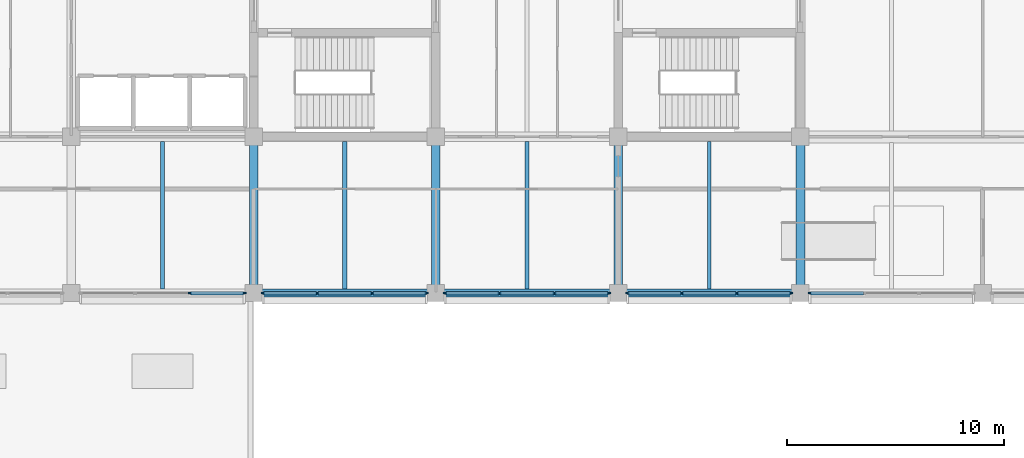
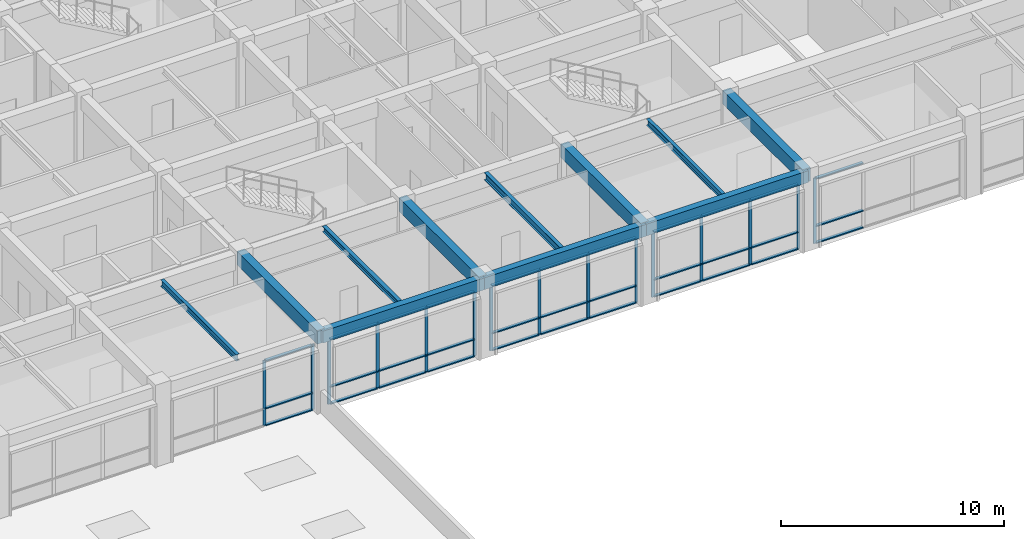
# One storey, part 7 of 40: 48 members, 11 beams, 5 elements without a shape of their own.
"""IFC4 building model written with IfcOpenShell, lengths in metres."""

from ifc_helpers import new_model, si_unit, direction, frame, origin, origin_2d, place, context, subcontext, project, spatial, rectangle, i_section, extrude, material, layer, layer_set, material_profile, profile_set, type_object, element, aggregate, save


model = new_model("IFC4")

# Units and contexts
model_context = context("Model", 3, precision=1e-05, world=origin(), true_north=direction((0.0, 1.0)))
body_context = subcontext(model_context, "Body", "Model", "MODEL_VIEW")
ifc_project = project(units=[si_unit("LENGTHUNIT", "METRE"), si_unit("AREAUNIT", "SQUARE_METRE"), si_unit("VOLUMEUNIT", "CUBIC_METRE"), si_unit("PLANEANGLEUNIT", "RADIAN"), si_unit("MASSUNIT", "GRAM", prefix="KILO")], contexts=[model_context])

# Site, building, storey
site_placement = place(None, origin())
site = spatial("IfcSite", under=ifc_project, at=site_placement, CompositionType="ELEMENT")
building_placement = place(site_placement, origin())
building = spatial("IfcBuilding", under=site, at=building_placement, Name="Chengyuan Square Courthouse", CompositionType="ELEMENT")
storey_placement = place(building_placement, frame((0.0, 0.0, 21.60009765625)))
storey = spatial("IfcBuildingStorey", under=building, at=storey_placement, Name="L05", CompositionType="ELEMENT", Elevation=21.60009765625)

# Beams
ifc_material_1 = material(Name="Concrete C40", Category="concrete")
ifc_material_profile_1 = material_profile(ifc_material_1, rectangle(XDim=0.39990234375, YDim=0.75, at=origin_2d()), Name="RC-BM-400x750")
ifc_profile_set_1 = profile_set([ifc_material_profile_1], Name="Concrete C40")
beam_type_1 = type_object("IfcBeamType", Name="BM-02", PredefinedType="USERDEFINED", material=ifc_profile_set_1)
for number, where, z_axis, x_axis, name in (
    (1, (100.800048828125, 79.199951171875, 3.864990234375), (0.0, 1.0, 0.0), (-1.0, 0.0, 0.0), "Girder BM-L05-3308"),
    (2, (109.199951171875, 79.199951171875, 3.864990234375), (0.0, 1.0, 0.0), (-1.0, 0.0, 0.0), "Girder BM-L05-3313"),
    (3, (117.60009765625, 79.199951171875, 3.864990234375), (0.0, 1.0, 0.0), (-1.0, 0.0, 0.0), "Girder BM-L05-3318"),
    (4, (126.0, 79.199951171875, 3.864990234375), (0.0, 1.0, 0.0), (-1.0, 0.0, 0.0), "Girder BM-L05-3323"),
):
    element("IfcBeam", number, at=place(storey_placement, frame(where, z_axis=z_axis, x_axis=x_axis)), inside=storey, type_object=beam_type_1, Name=name, ObjectType="GIRDER", PredefinedType="USERDEFINED", context=body_context, shape_type="SweptSolid", body=[
        extrude(rectangle(XDim=0.39990234375, YDim=0.75, at=origin_2d()), origin(), (0.0, 0.0, 1.0), 7.199951171875),
    ])
ifc_material_profile_2 = material_profile(ifc_material_1, rectangle(XDim=0.35009765625, YDim=0.64990234375, at=origin_2d()), Name="RC-BM-350x650")
ifc_profile_set_2 = profile_set([ifc_material_profile_2], Name="Concrete C40")
beam_type_2 = type_object("IfcBeamType", Name="BM-03", PredefinedType="SPANDREL", material=ifc_profile_set_2)
beam_1_placement = place(storey_placement, frame((100.800048828125, 79.199951171875, 3.914794921875), z_axis=(1.0, 0.0, 0.0), x_axis=(0.0, 1.0, 0.0)))
element("IfcBeam", 5, at=beam_1_placement, inside=storey, type_object=beam_type_2, Name="Girder BM-L05-3204", PredefinedType="SPANDREL", context=body_context, shape_type="SweptSolid", body=[
    extrude(rectangle(XDim=0.35009765625, YDim=0.64990234375, at=origin_2d()), origin(), (0.0, 0.0, 1.0), 8.39990234375),
])
beam_2_placement = place(storey_placement, frame((109.199951171875, 79.199951171875, 3.914794921875), z_axis=(1.0, 0.0, 0.0), x_axis=(0.0, 1.0, 0.0)))
element("IfcBeam", 6, at=beam_2_placement, inside=storey, type_object=beam_type_2, Name="Girder BM-L05-3205", PredefinedType="SPANDREL", context=body_context, shape_type="SweptSolid", body=[
    extrude(rectangle(XDim=0.35009765625, YDim=0.64990234375, at=origin_2d()), origin(), (0.0, 0.0, 1.0), 8.400146484375),
])
beam_3_placement = place(storey_placement, frame((117.60009765625, 79.199951171875, 3.914794921875), z_axis=(1.0, 0.0, 0.0), x_axis=(0.0, 1.0, 0.0)))
element("IfcBeam", 7, at=beam_3_placement, inside=storey, type_object=beam_type_2, Name="Girder BM-L05-3206", PredefinedType="SPANDREL", context=body_context, shape_type="SweptSolid", body=[
    extrude(rectangle(XDim=0.35009765625, YDim=0.64990234375, at=origin_2d()), origin(), (0.0, 0.0, 1.0), 8.39990234375),
])
ifc_material_2 = material(Name="Steel Q355B", Category="steel")
ifc_material_profile_3 = material_profile(ifc_material_2, i_section(OverallWidth=0.199951171875, OverallDepth=0.39990234375, WebThickness=0.008056640625, FlangeThickness=0.012939453125, at=origin_2d()), Name="HN 400x200x8x13")
ifc_profile_set_3 = profile_set([ifc_material_profile_3], Name="Steel Q355B")
beam_type_3 = type_object("IfcBeamType", Name="BM-07", PredefinedType="BEAM", material=ifc_profile_set_3)
beam_4_placement = place(storey_placement, frame((113.39990234375, 79.375, 4.039794921875), z_axis=(0.0, 1.0, 0.0), x_axis=(-1.0, 0.0, 0.0)))
element("IfcBeam", 8, at=beam_4_placement, inside=storey, type_object=beam_type_3, Name="Secondary Floor Beam SBM-L05-3370", PredefinedType="BEAM", context=body_context, shape_type="SweptSolid", body=[
    extrude(i_section(OverallWidth=0.199951171875, OverallDepth=0.39990234375, WebThickness=0.008056640625, FlangeThickness=0.012939453125, at=origin_2d()), origin(), (0.0, 0.0, 1.0), 6.800048828125),
])
ifc_material_profile_4 = material_profile(ifc_material_2, i_section(OverallWidth=0.175048828125, OverallDepth=0.35009765625, WebThickness=0.007080078125, FlangeThickness=0.010986328125, at=origin_2d()), Name="HN 350x175x7x11")
ifc_profile_set_4 = profile_set([ifc_material_profile_4], Name="Steel Q355B")
beam_type_4 = type_object("IfcBeamType", Name="BM-08", PredefinedType="BEAM", material=ifc_profile_set_4)
for number, where, z_axis, x_axis, name in (
    (9, (96.60009765625, 79.375, 4.06494140625), (0.0, 1.0, 0.0), (-1.0, 0.0, 0.0), "Secondary Floor Beam SBM-L05-3363"),
    (10, (121.800048828125, 79.375, 4.06494140625), (0.0, 1.0, 0.0), (-1.0, 0.0, 0.0), "Secondary Floor Beam SBM-L05-3375"),
):
    element("IfcBeam", number, at=place(storey_placement, frame(where, z_axis=z_axis, x_axis=x_axis)), inside=storey, type_object=beam_type_4, Name=name, PredefinedType="BEAM", context=body_context, shape_type="SweptSolid", body=[
        extrude(i_section(OverallWidth=0.175048828125, OverallDepth=0.35009765625, WebThickness=0.007080078125, FlangeThickness=0.010986328125, at=origin_2d()), origin(), (0.0, 0.0, 1.0), 6.800048828125),
    ])
ifc_material_profile_5 = material_profile(ifc_material_2, i_section(OverallWidth=0.199951171875, OverallDepth=0.300048828125, WebThickness=0.008056640625, FlangeThickness=0.011962890625, at=origin_2d()), Name="HM 300x200x8x12")
ifc_profile_set_5 = profile_set([ifc_material_profile_5], Name="Steel Q355B")
beam_type_5 = type_object("IfcBeamType", Name="BM-09", PredefinedType="BEAM", material=ifc_profile_set_5)
beam_5_placement = place(storey_placement, frame((105.0, 79.375, 4.08984375), z_axis=(0.0, 1.0, 0.0), x_axis=(-1.0, 0.0, 0.0)))
element("IfcBeam", 11, at=beam_5_placement, inside=storey, type_object=beam_type_5, Name="Secondary Floor Beam SBM-L05-3367", PredefinedType="BEAM", context=body_context, shape_type="SweptSolid", body=[
    extrude(i_section(OverallWidth=0.199951171875, OverallDepth=0.300048828125, WebThickness=0.008056640625, FlangeThickness=0.011962890625, at=origin_2d()), origin(), (0.0, 0.0, 1.0), 6.800048828125),
])

# Curtain wall, members
ifc_material_3 = material(Name="Unitised Aluminium and Triple Low-E Glass", Category="aluminium")
ifc_layer = layer(ifc_material_3, 0.159912109375)
ifc_layer_set = layer_set([ifc_layer], Name="Unitised Aluminium and Triple Low-E Glass")
curtain_wall_type = type_object("IfcCurtainWallType", Name="CW-13", PredefinedType="USERDEFINED", material=ifc_layer_set)
curtain_wall_1_placement = place(storey_placement, origin())
curtain_wall_1 = element("IfcCurtainWall", 12, at=curtain_wall_1_placement, inside=storey, type_object=curtain_wall_type, Name="Unitised Curtain Wall CW-L05-176", ObjectType="UNITISED CURTAIN WALL", PredefinedType="USERDEFINED")
ifc_material_4 = material(Name="Aluminium 6063-T6 Frame", Category="aluminium")
ifc_material_profile_6 = material_profile(ifc_material_4, rectangle(XDim=0.06005859375, YDim=0.159912109375, at=origin_2d()), Name="CW-MUL-60x160")
ifc_profile_set_6 = profile_set([ifc_material_profile_6], Name="Aluminium 6063-T6 Frame")
member_type_1 = type_object("IfcMemberType", Name="CWM-01", PredefinedType="MULLION", material=ifc_profile_set_6)
member_1_placement = place(storey_placement, frame((97.86669921875, 79.199951171875, 0.0), z_axis=(0.0, 0.0, 1.0), x_axis=(0.0, 1.0, 0.0)))
member_1 = element("IfcMember", 13, at=member_1_placement, type_object=member_type_1, Name="CW-13 mullion 3", PredefinedType="MULLION", context=body_context, shape_type="SweptSolid", body=[
    extrude(rectangle(XDim=0.06005859375, YDim=0.159912109375, at=origin_2d()), origin(), (0.0, 0.0, 1.0), 3.58984375),
])
member_2_placement = place(storey_placement, frame((100.3701171875, 79.199951171875, 0.0), z_axis=(0.0, 0.0, 1.0), x_axis=(0.0, 1.0, 0.0)))
member_2 = element("IfcMember", 14, at=member_2_placement, type_object=member_type_1, Name="CW-13 mullion 4", PredefinedType="MULLION", context=body_context, shape_type="SweptSolid", body=[
    extrude(rectangle(XDim=0.06005859375, YDim=0.159912109375, at=origin_2d()), origin(), (0.0, 0.0, 1.0), 3.58984375),
])

curtain_wall_2_placement = place(storey_placement, origin())
curtain_wall_2 = element("IfcCurtainWall", 15, at=curtain_wall_2_placement, inside=storey, type_object=curtain_wall_type, Name="Unitised Curtain Wall CW-L05-177", ObjectType="UNITISED CURTAIN WALL", PredefinedType="USERDEFINED")
member_3_placement = place(storey_placement, frame((101.22998046875, 79.199951171875, 0.0), z_axis=(0.0, 0.0, 1.0), x_axis=(0.0, 1.0, 0.0)))
member_3 = element("IfcMember", 16, at=member_3_placement, type_object=member_type_1, Name="CW-13 mullion 1", PredefinedType="MULLION", context=body_context, shape_type="SweptSolid", body=[
    extrude(rectangle(XDim=0.06005859375, YDim=0.159912109375, at=origin_2d()), origin(), (0.0, 0.0, 1.0), 3.58984375),
])
member_4_placement = place(storey_placement, frame((103.7333984375, 79.199951171875, 0.0), z_axis=(0.0, 0.0, 1.0), x_axis=(0.0, 1.0, 0.0)))
member_4 = element("IfcMember", 17, at=member_4_placement, type_object=member_type_1, Name="CW-13 mullion 2", PredefinedType="MULLION", context=body_context, shape_type="SweptSolid", body=[
    extrude(rectangle(XDim=0.06005859375, YDim=0.159912109375, at=origin_2d()), origin(), (0.0, 0.0, 1.0), 3.58984375),
])
member_5_placement = place(storey_placement, frame((106.2666015625, 79.199951171875, 0.0), z_axis=(0.0, 0.0, 1.0), x_axis=(0.0, 1.0, 0.0)))
member_5 = element("IfcMember", 18, at=member_5_placement, type_object=member_type_1, Name="CW-13 mullion 3", PredefinedType="MULLION", context=body_context, shape_type="SweptSolid", body=[
    extrude(rectangle(XDim=0.06005859375, YDim=0.159912109375, at=origin_2d()), origin(), (0.0, 0.0, 1.0), 3.58984375),
])
member_6_placement = place(storey_placement, frame((108.77001953125, 79.199951171875, 0.0), z_axis=(0.0, 0.0, 1.0), x_axis=(0.0, 1.0, 0.0)))
member_6 = element("IfcMember", 19, at=member_6_placement, type_object=member_type_1, Name="CW-13 mullion 4", PredefinedType="MULLION", context=body_context, shape_type="SweptSolid", body=[
    extrude(rectangle(XDim=0.06005859375, YDim=0.159912109375, at=origin_2d()), origin(), (0.0, 0.0, 1.0), 3.58984375),
])

curtain_wall_3_placement = place(storey_placement, origin())
curtain_wall_3 = element("IfcCurtainWall", 20, at=curtain_wall_3_placement, inside=storey, type_object=curtain_wall_type, Name="Unitised Curtain Wall CW-L05-178", ObjectType="UNITISED CURTAIN WALL", PredefinedType="USERDEFINED")
member_7_placement = place(storey_placement, frame((109.6298828125, 79.199951171875, 0.0), z_axis=(0.0, 0.0, 1.0), x_axis=(0.0, 1.0, 0.0)))
member_7 = element("IfcMember", 21, at=member_7_placement, type_object=member_type_1, Name="CW-13 mullion 1", PredefinedType="MULLION", context=body_context, shape_type="SweptSolid", body=[
    extrude(rectangle(XDim=0.06005859375, YDim=0.159912109375, at=origin_2d()), origin(), (0.0, 0.0, 1.0), 3.58984375),
])
member_8_placement = place(storey_placement, frame((112.13330078125, 79.199951171875, 0.0), z_axis=(0.0, 0.0, 1.0), x_axis=(0.0, 1.0, 0.0)))
member_8 = element("IfcMember", 22, at=member_8_placement, type_object=member_type_1, Name="CW-13 mullion 2", PredefinedType="MULLION", context=body_context, shape_type="SweptSolid", body=[
    extrude(rectangle(XDim=0.06005859375, YDim=0.159912109375, at=origin_2d()), origin(), (0.0, 0.0, 1.0), 3.58984375),
])
member_9_placement = place(storey_placement, frame((114.666748046875, 79.199951171875, 0.0), z_axis=(0.0, 0.0, 1.0), x_axis=(0.0, 1.0, 0.0)))
member_9 = element("IfcMember", 23, at=member_9_placement, type_object=member_type_1, Name="CW-13 mullion 3", PredefinedType="MULLION", context=body_context, shape_type="SweptSolid", body=[
    extrude(rectangle(XDim=0.06005859375, YDim=0.159912109375, at=origin_2d()), origin(), (0.0, 0.0, 1.0), 3.58984375),
])
member_10_placement = place(storey_placement, frame((117.169921875, 79.199951171875, 0.0), z_axis=(0.0, 0.0, 1.0), x_axis=(0.0, 1.0, 0.0)))
member_10 = element("IfcMember", 24, at=member_10_placement, type_object=member_type_1, Name="CW-13 mullion 4", PredefinedType="MULLION", context=body_context, shape_type="SweptSolid", body=[
    extrude(rectangle(XDim=0.06005859375, YDim=0.159912109375, at=origin_2d()), origin(), (0.0, 0.0, 1.0), 3.58984375),
])

curtain_wall_4_placement = place(storey_placement, origin())
curtain_wall_4 = element("IfcCurtainWall", 25, at=curtain_wall_4_placement, inside=storey, type_object=curtain_wall_type, Name="Unitised Curtain Wall CW-L05-179", ObjectType="UNITISED CURTAIN WALL", PredefinedType="USERDEFINED")
member_11_placement = place(storey_placement, frame((118.030029296875, 79.199951171875, 0.0), z_axis=(0.0, 0.0, 1.0), x_axis=(0.0, 1.0, 0.0)))
member_11 = element("IfcMember", 26, at=member_11_placement, type_object=member_type_1, Name="CW-13 mullion 1", PredefinedType="MULLION", context=body_context, shape_type="SweptSolid", body=[
    extrude(rectangle(XDim=0.06005859375, YDim=0.159912109375, at=origin_2d()), origin(), (0.0, 0.0, 1.0), 3.58984375),
])
member_12_placement = place(storey_placement, frame((120.533447265625, 79.199951171875, 0.0), z_axis=(0.0, 0.0, 1.0), x_axis=(0.0, 1.0, 0.0)))
member_12 = element("IfcMember", 27, at=member_12_placement, type_object=member_type_1, Name="CW-13 mullion 2", PredefinedType="MULLION", context=body_context, shape_type="SweptSolid", body=[
    extrude(rectangle(XDim=0.06005859375, YDim=0.159912109375, at=origin_2d()), origin(), (0.0, 0.0, 1.0), 3.58984375),
])
member_13_placement = place(storey_placement, frame((123.066650390625, 79.199951171875, 0.0), z_axis=(0.0, 0.0, 1.0), x_axis=(0.0, 1.0, 0.0)))
member_13 = element("IfcMember", 28, at=member_13_placement, type_object=member_type_1, Name="CW-13 mullion 3", PredefinedType="MULLION", context=body_context, shape_type="SweptSolid", body=[
    extrude(rectangle(XDim=0.06005859375, YDim=0.159912109375, at=origin_2d()), origin(), (0.0, 0.0, 1.0), 3.58984375),
])
member_14_placement = place(storey_placement, frame((125.570068359375, 79.199951171875, 0.0), z_axis=(0.0, 0.0, 1.0), x_axis=(0.0, 1.0, 0.0)))
member_14 = element("IfcMember", 29, at=member_14_placement, type_object=member_type_1, Name="CW-13 mullion 4", PredefinedType="MULLION", context=body_context, shape_type="SweptSolid", body=[
    extrude(rectangle(XDim=0.06005859375, YDim=0.159912109375, at=origin_2d()), origin(), (0.0, 0.0, 1.0), 3.58984375),
])

# Curtain wall, member
curtain_wall_5_placement = place(storey_placement, origin())
curtain_wall_5 = element("IfcCurtainWall", 30, at=curtain_wall_5_placement, inside=storey, type_object=curtain_wall_type, Name="Unitised Curtain Wall CW-L05-180", ObjectType="UNITISED CURTAIN WALL", PredefinedType="USERDEFINED")
member_15_placement = place(storey_placement, frame((126.429931640625, 79.199951171875, 0.0), z_axis=(0.0, 0.0, 1.0), x_axis=(0.0, 1.0, 0.0)))
member_15 = element("IfcMember", 31, at=member_15_placement, type_object=member_type_1, Name="CW-13 mullion 1", PredefinedType="MULLION", context=body_context, shape_type="SweptSolid", body=[
    extrude(rectangle(XDim=0.06005859375, YDim=0.159912109375, at=origin_2d()), origin(), (0.0, 0.0, 1.0), 3.58984375),
])

# Member
ifc_material_profile_7 = material_profile(ifc_material_4, rectangle(XDim=0.159912109375, YDim=0.06005859375, at=origin_2d()), Name="CW-TRN-60x120")
ifc_profile_set_7 = profile_set([ifc_material_profile_7], Name="Aluminium 6063-T6 Frame")
member_type_2 = type_object("IfcMemberType", Name="CWT-01", PredefinedType="USERDEFINED", material=ifc_profile_set_7)
member_16_placement = place(storey_placement, frame((97.896728515625, 79.199951171875, 0.02978515625), z_axis=(1.0, 0.0, 0.0), x_axis=(0.0, 1.0, 0.0)))
member_16 = element("IfcMember", 32, at=member_16_placement, type_object=member_type_2, Name="CW-13 transom 3.1", ObjectType="TRANSOM", PredefinedType="USERDEFINED", context=body_context, shape_type="SweptSolid", body=[
    extrude(rectangle(XDim=0.159912109375, YDim=0.06005859375, at=origin_2d()), origin(), (0.0, 0.0, 1.0), 2.443359375),
])

member_17_placement = place(storey_placement, frame((97.896728515625, 79.199951171875, 0.949951171875), z_axis=(1.0, 0.0, 0.0), x_axis=(0.0, 1.0, 0.0)))
member_17 = element("IfcMember", 33, at=member_17_placement, type_object=member_type_2, Name="CW-13 transom 3.2", ObjectType="TRANSOM", PredefinedType="USERDEFINED", context=body_context, shape_type="SweptSolid", body=[
    extrude(rectangle(XDim=0.159912109375, YDim=0.06005859375, at=origin_2d()), origin(), (0.0, 0.0, 1.0), 2.443359375),
])

member_18_placement = place(storey_placement, frame((97.896728515625, 79.199951171875, 3.559814453125), z_axis=(1.0, 0.0, 0.0), x_axis=(0.0, 1.0, 0.0)))
member_18 = element("IfcMember", 34, at=member_18_placement, type_object=member_type_2, Name="CW-13 transom 3.3", ObjectType="TRANSOM", PredefinedType="USERDEFINED", context=body_context, shape_type="SweptSolid", body=[
    extrude(rectangle(XDim=0.159912109375, YDim=0.06005859375, at=origin_2d()), origin(), (0.0, 0.0, 1.0), 2.443359375),
])

aggregate(curtain_wall_1, [member_1, member_2, member_16, member_17, member_18])

member_19_placement = place(storey_placement, frame((101.260009765625, 79.199951171875, 0.02978515625), z_axis=(1.0, 0.0, 0.0), x_axis=(0.0, 1.0, 0.0)))
member_19 = element("IfcMember", 35, at=member_19_placement, type_object=member_type_2, Name="CW-13 transom 1.1", ObjectType="TRANSOM", PredefinedType="USERDEFINED", context=body_context, shape_type="SweptSolid", body=[
    extrude(rectangle(XDim=0.159912109375, YDim=0.06005859375, at=origin_2d()), origin(), (0.0, 0.0, 1.0), 2.443359375),
])

member_20_placement = place(storey_placement, frame((101.260009765625, 79.199951171875, 0.949951171875), z_axis=(1.0, 0.0, 0.0), x_axis=(0.0, 1.0, 0.0)))
member_20 = element("IfcMember", 36, at=member_20_placement, type_object=member_type_2, Name="CW-13 transom 1.2", ObjectType="TRANSOM", PredefinedType="USERDEFINED", context=body_context, shape_type="SweptSolid", body=[
    extrude(rectangle(XDim=0.159912109375, YDim=0.06005859375, at=origin_2d()), origin(), (0.0, 0.0, 1.0), 2.443359375),
])

member_21_placement = place(storey_placement, frame((101.260009765625, 79.199951171875, 3.559814453125), z_axis=(1.0, 0.0, 0.0), x_axis=(0.0, 1.0, 0.0)))
member_21 = element("IfcMember", 37, at=member_21_placement, type_object=member_type_2, Name="CW-13 transom 1.3", ObjectType="TRANSOM", PredefinedType="USERDEFINED", context=body_context, shape_type="SweptSolid", body=[
    extrude(rectangle(XDim=0.159912109375, YDim=0.06005859375, at=origin_2d()), origin(), (0.0, 0.0, 1.0), 2.443359375),
])

member_22_placement = place(storey_placement, frame((103.763427734375, 79.199951171875, 0.02978515625), z_axis=(1.0, 0.0, 0.0), x_axis=(0.0, 1.0, 0.0)))
member_22 = element("IfcMember", 38, at=member_22_placement, type_object=member_type_2, Name="CW-13 transom 2.1", ObjectType="TRANSOM", PredefinedType="USERDEFINED", context=body_context, shape_type="SweptSolid", body=[
    extrude(rectangle(XDim=0.159912109375, YDim=0.06005859375, at=origin_2d()), origin(), (0.0, 0.0, 1.0), 2.47314453125),
])

member_23_placement = place(storey_placement, frame((103.763427734375, 79.199951171875, 0.949951171875), z_axis=(1.0, 0.0, 0.0), x_axis=(0.0, 1.0, 0.0)))
member_23 = element("IfcMember", 39, at=member_23_placement, type_object=member_type_2, Name="CW-13 transom 2.2", ObjectType="TRANSOM", PredefinedType="USERDEFINED", context=body_context, shape_type="SweptSolid", body=[
    extrude(rectangle(XDim=0.159912109375, YDim=0.06005859375, at=origin_2d()), origin(), (0.0, 0.0, 1.0), 2.47314453125),
])

member_24_placement = place(storey_placement, frame((103.763427734375, 79.199951171875, 3.559814453125), z_axis=(1.0, 0.0, 0.0), x_axis=(0.0, 1.0, 0.0)))
member_24 = element("IfcMember", 40, at=member_24_placement, type_object=member_type_2, Name="CW-13 transom 2.3", ObjectType="TRANSOM", PredefinedType="USERDEFINED", context=body_context, shape_type="SweptSolid", body=[
    extrude(rectangle(XDim=0.159912109375, YDim=0.06005859375, at=origin_2d()), origin(), (0.0, 0.0, 1.0), 2.47314453125),
])

member_25_placement = place(storey_placement, frame((106.296630859375, 79.199951171875, 0.02978515625), z_axis=(1.0, 0.0, 0.0), x_axis=(0.0, 1.0, 0.0)))
member_25 = element("IfcMember", 41, at=member_25_placement, type_object=member_type_2, Name="CW-13 transom 3.1", ObjectType="TRANSOM", PredefinedType="USERDEFINED", context=body_context, shape_type="SweptSolid", body=[
    extrude(rectangle(XDim=0.159912109375, YDim=0.06005859375, at=origin_2d()), origin(), (0.0, 0.0, 1.0), 2.443359375),
])

member_26_placement = place(storey_placement, frame((106.296630859375, 79.199951171875, 0.949951171875), z_axis=(1.0, 0.0, 0.0), x_axis=(0.0, 1.0, 0.0)))
member_26 = element("IfcMember", 42, at=member_26_placement, type_object=member_type_2, Name="CW-13 transom 3.2", ObjectType="TRANSOM", PredefinedType="USERDEFINED", context=body_context, shape_type="SweptSolid", body=[
    extrude(rectangle(XDim=0.159912109375, YDim=0.06005859375, at=origin_2d()), origin(), (0.0, 0.0, 1.0), 2.443359375),
])

member_27_placement = place(storey_placement, frame((106.296630859375, 79.199951171875, 3.559814453125), z_axis=(1.0, 0.0, 0.0), x_axis=(0.0, 1.0, 0.0)))
member_27 = element("IfcMember", 43, at=member_27_placement, type_object=member_type_2, Name="CW-13 transom 3.3", ObjectType="TRANSOM", PredefinedType="USERDEFINED", context=body_context, shape_type="SweptSolid", body=[
    extrude(rectangle(XDim=0.159912109375, YDim=0.06005859375, at=origin_2d()), origin(), (0.0, 0.0, 1.0), 2.443359375),
])

aggregate(curtain_wall_2, [member_3, member_4, member_5, member_6, member_19, member_20, member_21, member_22, member_23, member_24, member_25, member_26, member_27])

member_28_placement = place(storey_placement, frame((109.659912109375, 79.199951171875, 0.02978515625), z_axis=(1.0, 0.0, 0.0), x_axis=(0.0, 1.0, 0.0)))
member_28 = element("IfcMember", 44, at=member_28_placement, type_object=member_type_2, Name="CW-13 transom 1.1", ObjectType="TRANSOM", PredefinedType="USERDEFINED", context=body_context, shape_type="SweptSolid", body=[
    extrude(rectangle(XDim=0.159912109375, YDim=0.06005859375, at=origin_2d()), origin(), (0.0, 0.0, 1.0), 2.443359375),
])

member_29_placement = place(storey_placement, frame((109.659912109375, 79.199951171875, 0.949951171875), z_axis=(1.0, 0.0, 0.0), x_axis=(0.0, 1.0, 0.0)))
member_29 = element("IfcMember", 45, at=member_29_placement, type_object=member_type_2, Name="CW-13 transom 1.2", ObjectType="TRANSOM", PredefinedType="USERDEFINED", context=body_context, shape_type="SweptSolid", body=[
    extrude(rectangle(XDim=0.159912109375, YDim=0.06005859375, at=origin_2d()), origin(), (0.0, 0.0, 1.0), 2.443359375),
])

member_30_placement = place(storey_placement, frame((109.659912109375, 79.199951171875, 3.559814453125), z_axis=(1.0, 0.0, 0.0), x_axis=(0.0, 1.0, 0.0)))
member_30 = element("IfcMember", 46, at=member_30_placement, type_object=member_type_2, Name="CW-13 transom 1.3", ObjectType="TRANSOM", PredefinedType="USERDEFINED", context=body_context, shape_type="SweptSolid", body=[
    extrude(rectangle(XDim=0.159912109375, YDim=0.06005859375, at=origin_2d()), origin(), (0.0, 0.0, 1.0), 2.443359375),
])

member_31_placement = place(storey_placement, frame((112.163330078125, 79.199951171875, 0.02978515625), z_axis=(1.0, 0.0, 0.0), x_axis=(0.0, 1.0, 0.0)))
member_31 = element("IfcMember", 47, at=member_31_placement, type_object=member_type_2, Name="CW-13 transom 2.1", ObjectType="TRANSOM", PredefinedType="USERDEFINED", context=body_context, shape_type="SweptSolid", body=[
    extrude(rectangle(XDim=0.159912109375, YDim=0.06005859375, at=origin_2d()), origin(), (0.0, 0.0, 1.0), 2.473388671875),
])

member_32_placement = place(storey_placement, frame((112.163330078125, 79.199951171875, 0.949951171875), z_axis=(1.0, 0.0, 0.0), x_axis=(0.0, 1.0, 0.0)))
member_32 = element("IfcMember", 48, at=member_32_placement, type_object=member_type_2, Name="CW-13 transom 2.2", ObjectType="TRANSOM", PredefinedType="USERDEFINED", context=body_context, shape_type="SweptSolid", body=[
    extrude(rectangle(XDim=0.159912109375, YDim=0.06005859375, at=origin_2d()), origin(), (0.0, 0.0, 1.0), 2.473388671875),
])

member_33_placement = place(storey_placement, frame((112.163330078125, 79.199951171875, 3.559814453125), z_axis=(1.0, 0.0, 0.0), x_axis=(0.0, 1.0, 0.0)))
member_33 = element("IfcMember", 49, at=member_33_placement, type_object=member_type_2, Name="CW-13 transom 2.3", ObjectType="TRANSOM", PredefinedType="USERDEFINED", context=body_context, shape_type="SweptSolid", body=[
    extrude(rectangle(XDim=0.159912109375, YDim=0.06005859375, at=origin_2d()), origin(), (0.0, 0.0, 1.0), 2.473388671875),
])

member_34_placement = place(storey_placement, frame((114.69677734375, 79.199951171875, 0.02978515625), z_axis=(1.0, 0.0, 0.0), x_axis=(0.0, 1.0, 0.0)))
member_34 = element("IfcMember", 50, at=member_34_placement, type_object=member_type_2, Name="CW-13 transom 3.1", ObjectType="TRANSOM", PredefinedType="USERDEFINED", context=body_context, shape_type="SweptSolid", body=[
    extrude(rectangle(XDim=0.159912109375, YDim=0.06005859375, at=origin_2d()), origin(), (0.0, 0.0, 1.0), 2.443115234375),
])

member_35_placement = place(storey_placement, frame((114.69677734375, 79.199951171875, 0.949951171875), z_axis=(1.0, 0.0, 0.0), x_axis=(0.0, 1.0, 0.0)))
member_35 = element("IfcMember", 51, at=member_35_placement, type_object=member_type_2, Name="CW-13 transom 3.2", ObjectType="TRANSOM", PredefinedType="USERDEFINED", context=body_context, shape_type="SweptSolid", body=[
    extrude(rectangle(XDim=0.159912109375, YDim=0.06005859375, at=origin_2d()), origin(), (0.0, 0.0, 1.0), 2.443115234375),
])

member_36_placement = place(storey_placement, frame((114.69677734375, 79.199951171875, 3.559814453125), z_axis=(1.0, 0.0, 0.0), x_axis=(0.0, 1.0, 0.0)))
member_36 = element("IfcMember", 52, at=member_36_placement, type_object=member_type_2, Name="CW-13 transom 3.3", ObjectType="TRANSOM", PredefinedType="USERDEFINED", context=body_context, shape_type="SweptSolid", body=[
    extrude(rectangle(XDim=0.159912109375, YDim=0.06005859375, at=origin_2d()), origin(), (0.0, 0.0, 1.0), 2.443115234375),
])

aggregate(curtain_wall_3, [member_7, member_8, member_9, member_10, member_28, member_29, member_30, member_31, member_32, member_33, member_34, member_35, member_36])

member_37_placement = place(storey_placement, frame((118.06005859375, 79.199951171875, 0.02978515625), z_axis=(1.0, 0.0, 0.0), x_axis=(0.0, 1.0, 0.0)))
member_37 = element("IfcMember", 53, at=member_37_placement, type_object=member_type_2, Name="CW-13 transom 1.1", ObjectType="TRANSOM", PredefinedType="USERDEFINED", context=body_context, shape_type="SweptSolid", body=[
    extrude(rectangle(XDim=0.159912109375, YDim=0.06005859375, at=origin_2d()), origin(), (0.0, 0.0, 1.0), 2.443359375),
])

member_38_placement = place(storey_placement, frame((118.06005859375, 79.199951171875, 0.949951171875), z_axis=(1.0, 0.0, 0.0), x_axis=(0.0, 1.0, 0.0)))
member_38 = element("IfcMember", 54, at=member_38_placement, type_object=member_type_2, Name="CW-13 transom 1.2", ObjectType="TRANSOM", PredefinedType="USERDEFINED", context=body_context, shape_type="SweptSolid", body=[
    extrude(rectangle(XDim=0.159912109375, YDim=0.06005859375, at=origin_2d()), origin(), (0.0, 0.0, 1.0), 2.443359375),
])

member_39_placement = place(storey_placement, frame((118.06005859375, 79.199951171875, 3.559814453125), z_axis=(1.0, 0.0, 0.0), x_axis=(0.0, 1.0, 0.0)))
member_39 = element("IfcMember", 55, at=member_39_placement, type_object=member_type_2, Name="CW-13 transom 1.3", ObjectType="TRANSOM", PredefinedType="USERDEFINED", context=body_context, shape_type="SweptSolid", body=[
    extrude(rectangle(XDim=0.159912109375, YDim=0.06005859375, at=origin_2d()), origin(), (0.0, 0.0, 1.0), 2.443359375),
])

member_40_placement = place(storey_placement, frame((120.563232421875, 79.199951171875, 0.02978515625), z_axis=(1.0, 0.0, 0.0), x_axis=(0.0, 1.0, 0.0)))
member_40 = element("IfcMember", 56, at=member_40_placement, type_object=member_type_2, Name="CW-13 transom 2.1", ObjectType="TRANSOM", PredefinedType="USERDEFINED", context=body_context, shape_type="SweptSolid", body=[
    extrude(rectangle(XDim=0.159912109375, YDim=0.06005859375, at=origin_2d()), origin(), (0.0, 0.0, 1.0), 2.473388671875),
])

member_41_placement = place(storey_placement, frame((120.563232421875, 79.199951171875, 0.949951171875), z_axis=(1.0, 0.0, 0.0), x_axis=(0.0, 1.0, 0.0)))
member_41 = element("IfcMember", 57, at=member_41_placement, type_object=member_type_2, Name="CW-13 transom 2.2", ObjectType="TRANSOM", PredefinedType="USERDEFINED", context=body_context, shape_type="SweptSolid", body=[
    extrude(rectangle(XDim=0.159912109375, YDim=0.06005859375, at=origin_2d()), origin(), (0.0, 0.0, 1.0), 2.473388671875),
])

member_42_placement = place(storey_placement, frame((120.563232421875, 79.199951171875, 3.559814453125), z_axis=(1.0, 0.0, 0.0), x_axis=(0.0, 1.0, 0.0)))
member_42 = element("IfcMember", 58, at=member_42_placement, type_object=member_type_2, Name="CW-13 transom 2.3", ObjectType="TRANSOM", PredefinedType="USERDEFINED", context=body_context, shape_type="SweptSolid", body=[
    extrude(rectangle(XDim=0.159912109375, YDim=0.06005859375, at=origin_2d()), origin(), (0.0, 0.0, 1.0), 2.473388671875),
])

member_43_placement = place(storey_placement, frame((123.0966796875, 79.199951171875, 0.02978515625), z_axis=(1.0, 0.0, 0.0), x_axis=(0.0, 1.0, 0.0)))
member_43 = element("IfcMember", 59, at=member_43_placement, type_object=member_type_2, Name="CW-13 transom 3.1", ObjectType="TRANSOM", PredefinedType="USERDEFINED", context=body_context, shape_type="SweptSolid", body=[
    extrude(rectangle(XDim=0.159912109375, YDim=0.06005859375, at=origin_2d()), origin(), (0.0, 0.0, 1.0), 2.443359375),
])

member_44_placement = place(storey_placement, frame((123.0966796875, 79.199951171875, 0.949951171875), z_axis=(1.0, 0.0, 0.0), x_axis=(0.0, 1.0, 0.0)))
member_44 = element("IfcMember", 60, at=member_44_placement, type_object=member_type_2, Name="CW-13 transom 3.2", ObjectType="TRANSOM", PredefinedType="USERDEFINED", context=body_context, shape_type="SweptSolid", body=[
    extrude(rectangle(XDim=0.159912109375, YDim=0.06005859375, at=origin_2d()), origin(), (0.0, 0.0, 1.0), 2.443359375),
])

member_45_placement = place(storey_placement, frame((123.0966796875, 79.199951171875, 3.559814453125), z_axis=(1.0, 0.0, 0.0), x_axis=(0.0, 1.0, 0.0)))
member_45 = element("IfcMember", 61, at=member_45_placement, type_object=member_type_2, Name="CW-13 transom 3.3", ObjectType="TRANSOM", PredefinedType="USERDEFINED", context=body_context, shape_type="SweptSolid", body=[
    extrude(rectangle(XDim=0.159912109375, YDim=0.06005859375, at=origin_2d()), origin(), (0.0, 0.0, 1.0), 2.443359375),
])

aggregate(curtain_wall_4, [member_11, member_12, member_13, member_14, member_37, member_38, member_39, member_40, member_41, member_42, member_43, member_44, member_45])

member_46_placement = place(storey_placement, frame((126.4599609375, 79.199951171875, 0.02978515625), z_axis=(1.0, 0.0, 0.0), x_axis=(0.0, 1.0, 0.0)))
member_46 = element("IfcMember", 62, at=member_46_placement, type_object=member_type_2, Name="CW-13 transom 1.1", ObjectType="TRANSOM", PredefinedType="USERDEFINED", context=body_context, shape_type="SweptSolid", body=[
    extrude(rectangle(XDim=0.159912109375, YDim=0.06005859375, at=origin_2d()), origin(), (0.0, 0.0, 1.0), 2.443359375),
])

member_47_placement = place(storey_placement, frame((126.4599609375, 79.199951171875, 0.949951171875), z_axis=(1.0, 0.0, 0.0), x_axis=(0.0, 1.0, 0.0)))
member_47 = element("IfcMember", 63, at=member_47_placement, type_object=member_type_2, Name="CW-13 transom 1.2", ObjectType="TRANSOM", PredefinedType="USERDEFINED", context=body_context, shape_type="SweptSolid", body=[
    extrude(rectangle(XDim=0.159912109375, YDim=0.06005859375, at=origin_2d()), origin(), (0.0, 0.0, 1.0), 2.443359375),
])

member_48_placement = place(storey_placement, frame((126.4599609375, 79.199951171875, 3.559814453125), z_axis=(1.0, 0.0, 0.0), x_axis=(0.0, 1.0, 0.0)))
member_48 = element("IfcMember", 64, at=member_48_placement, type_object=member_type_2, Name="CW-13 transom 1.3", ObjectType="TRANSOM", PredefinedType="USERDEFINED", context=body_context, shape_type="SweptSolid", body=[
    extrude(rectangle(XDim=0.159912109375, YDim=0.06005859375, at=origin_2d()), origin(), (0.0, 0.0, 1.0), 2.443359375),
])

aggregate(curtain_wall_5, [member_15, member_46, member_47, member_48])

save(model, "model.ifc")
